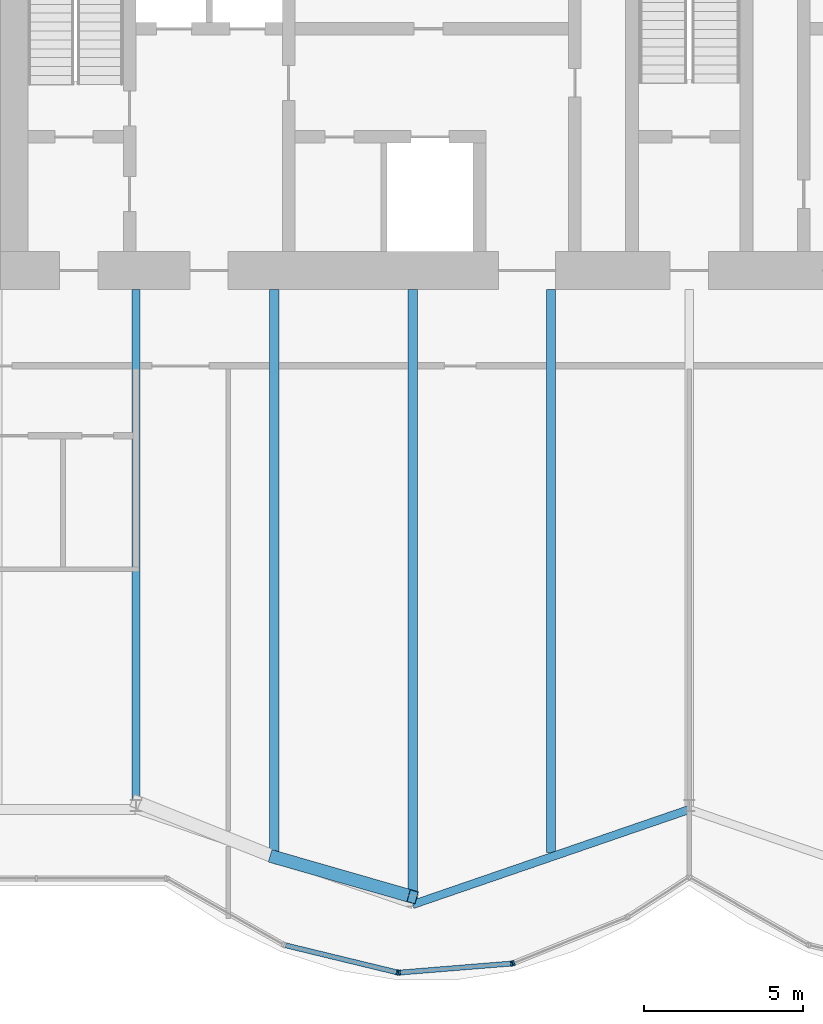
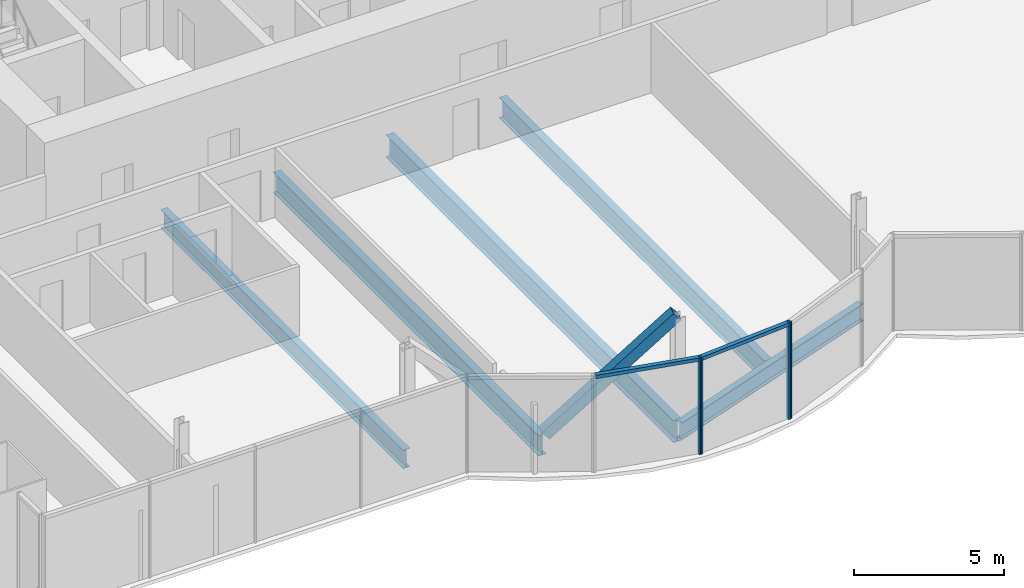
# One storey, part 6 of 20: 7 members, 5 beams, 1 element without a shape of its own.
"""IFC4 building model written with IfcOpenShell, lengths in metres."""

from ifc_helpers import new_model, si_unit, direction, frame, origin, origin_2d, place, context, subcontext, project, spatial, rectangle, hollow_rectangle, i_section, extrude, material, material_profile, profile_set, type_object, element, aggregate, save


model = new_model("IFC4")

# Units and contexts
model_context = context("Model", 3, precision=1e-05, world=origin(), true_north=direction((0.0, 1.0)))
body_context = subcontext(model_context, "Body", "Model", "MODEL_VIEW")
ifc_project = project(units=[si_unit("LENGTHUNIT", "METRE"), si_unit("AREAUNIT", "SQUARE_METRE"), si_unit("VOLUMEUNIT", "CUBIC_METRE"), si_unit("PLANEANGLEUNIT", "RADIAN"), si_unit("MASSUNIT", "GRAM", prefix="KILO")], contexts=[model_context])

# Site, building, storey
site_placement = place(None, origin())
site = spatial("IfcSite", under=ifc_project, at=site_placement, CompositionType="ELEMENT")
building_placement = place(site_placement, origin())
building = spatial("IfcBuilding", under=site, at=building_placement, Name="Bicima Exchange Tower", CompositionType="ELEMENT")
storey_placement = place(building_placement, frame((0.0, 0.0, 215.5)))
storey = spatial("IfcBuildingStorey", under=building, at=storey_placement, Name="L48", CompositionType="ELEMENT", Elevation=215.5)

# Beams
ifc_material_1 = material(Name="Steel ASTM A992 Gr 50", Category="steel")
ifc_material_profile_1 = material_profile(ifc_material_1, i_section(OverallWidth=0.2666015625, OverallDepth=0.75439453125, WebThickness=0.01318359375, FlangeThickness=0.01708984375, at=origin_2d()))
ifc_profile_set_1 = profile_set([ifc_material_profile_1], Name="Steel ASTM A992 Gr 50")
beam_type_1 = type_object("IfcBeamType", Name="Floor beam W30x99", PredefinedType="JOIST", material=ifc_profile_set_1)
beam_1_placement = place(storey_placement, frame((-17.39990234375, -13.0, -0.527099609375), z_axis=(0.0, -1.0, 0.0), x_axis=(1.0, 0.0, 0.0)))
element("IfcBeam", 1, at=beam_1_placement, inside=storey, type_object=beam_type_1, Name="Floor beam", PredefinedType="JOIST", context=body_context, shape_type="SweptSolid", body=[
    extrude(i_section(OverallWidth=0.2666015625, OverallDepth=0.75439453125, WebThickness=0.01318359375, FlangeThickness=0.01708984375, at=origin_2d()), origin(), (0.0, 0.0, 1.0), 16.189453125),
])
ifc_material_profile_2 = material_profile(ifc_material_1, i_section(OverallWidth=0.2919921875, OverallDepth=0.835693359375, WebThickness=0.013916015625, FlangeThickness=0.018798828125, at=origin_2d()))
ifc_profile_set_2 = profile_set([ifc_material_profile_2], Name="Steel ASTM A992 Gr 50")
beam_type_2 = type_object("IfcBeamType", Name="Floor beam W33x118", PredefinedType="JOIST", material=ifc_profile_set_2)
for number, where, z_axis, x_axis, name in (
    (2, (-13.050048828125, -13.0, -0.56787109375), (0.0, -1.0, 0.0), (1.0, 0.0, 0.0), "Floor beam"),
    (3, (-4.35009765625, -13.0, -0.56787109375), (0.0, -1.0, 0.0), (1.0, 0.0, 0.0), "Floor beam"),
):
    element("IfcBeam", number, at=place(storey_placement, frame(where, z_axis=z_axis, x_axis=x_axis)), inside=storey, type_object=beam_type_2, Name=name, PredefinedType="JOIST", context=body_context, shape_type="SweptSolid", body=[
        extrude(i_section(OverallWidth=0.2919921875, OverallDepth=0.835693359375, WebThickness=0.013916015625, FlangeThickness=0.018798828125, at=origin_2d()), origin(), (0.0, 0.0, 1.0), 17.7119140625),
    ])
ifc_material_profile_3 = material_profile(ifc_material_1, i_section(OverallWidth=0.3046875, OverallDepth=0.904296875, WebThickness=0.01513671875, FlangeThickness=0.02001953125, at=origin_2d()))
ifc_profile_set_3 = profile_set([ifc_material_profile_3], Name="Steel ASTM A992 Gr 50")
beam_type_3 = type_object("IfcBeamType", Name="Floor beam W36x135", PredefinedType="JOIST", material=ifc_profile_set_3)
beam_2_placement = place(storey_placement, frame((-8.699951171875, -13.0, -0.60205078125), z_axis=(0.0, -1.0, 0.0), x_axis=(1.0, 0.0, 0.0)))
element("IfcBeam", 4, at=beam_2_placement, inside=storey, type_object=beam_type_3, Name="Floor beam", PredefinedType="JOIST", context=body_context, shape_type="SweptSolid", body=[
    extrude(i_section(OverallWidth=0.3046875, OverallDepth=0.904296875, WebThickness=0.01513671875, FlangeThickness=0.02001953125, at=origin_2d()), origin(), (0.0, 0.0, 1.0), 19.20751953125),
])
ifc_material_profile_4 = material_profile(ifc_material_1, i_section(OverallWidth=0.256591796875, OverallDepth=0.693359375, WebThickness=0.014404296875, FlangeThickness=0.023681640625, at=origin_2d()))
ifc_profile_set_4 = profile_set([ifc_material_profile_4], Name="Steel ASTM A992 Gr 50")
beam_type_4 = type_object("IfcBeamType", Name="Front girder W27x114", PredefinedType="BEAM", material=ifc_profile_set_4)
beam_3_placement = place(storey_placement, frame((-8.699951171875, -32.343017578125, -0.49658203125), z_axis=(0.945674616091, 0.32511462668, 0.0), x_axis=(-0.32511462668, 0.945674616091, 0.0)))
element("IfcBeam", 5, at=beam_3_placement, inside=storey, type_object=beam_type_4, Name="Front girder", PredefinedType="BEAM", context=body_context, shape_type="SweptSolid", body=[
    extrude(i_section(OverallWidth=0.256591796875, OverallDepth=0.693359375, WebThickness=0.014404296875, FlangeThickness=0.023681640625, at=origin_2d()), origin(), (0.0, 0.0, 1.0), 9.19970703125),
])

# Curtain wall, members
ifc_material_2 = material(Name="Anodised bronze aluminium", Category="aluminium")
curtain_wall_type = type_object("IfcCurtainWallType", Name="Front glass wall", PredefinedType="NOTDEFINED", material=ifc_material_2)
curtain_wall_placement = place(storey_placement, origin())
curtain_wall = element("IfcCurtainWall", 6, at=curtain_wall_placement, inside=storey, type_object=curtain_wall_type, Name="Front glass wall L48 run 6", PredefinedType="NOTDEFINED")
ifc_material_profile_5 = material_profile(ifc_material_2, rectangle(XDim=0.159912109375, YDim=0.06005859375, at=origin_2d()))
ifc_profile_set_5 = profile_set([ifc_material_profile_5], Name="Anodised bronze aluminium")
member_type_1 = type_object("IfcMemberType", Name="Front glass wall mullion 60 x 160", PredefinedType="MULLION", material=ifc_profile_set_5)
member_1_placement = place(storey_placement, frame((-9.177490234375, -34.477783203125, 0.0), z_axis=(0.0, 0.0, 1.0), x_axis=(0.235681529503, 0.971830343553, 0.0)))
member_1 = element("IfcMember", 7, at=member_1_placement, type_object=member_type_1, Name="Front glass wall mullion 2", PredefinedType="MULLION", context=body_context, shape_type="SweptSolid", body=[
    extrude(rectangle(XDim=0.159912109375, YDim=0.06005859375, at=origin_2d()), origin(), (0.0, 0.0, 1.0), 3.949951171875),
])
member_2_placement = place(storey_placement, frame((-9.118408203125, -34.482666015625, 0.0), z_axis=(0.0, 0.0, 1.0), x_axis=(-0.080588612633, 0.99674744821, 0.0)))
member_2 = element("IfcMember", 8, at=member_2_placement, type_object=member_type_1, Name="Front glass wall mullion 1", PredefinedType="MULLION", context=body_context, shape_type="SweptSolid", body=[
    extrude(rectangle(XDim=0.159912109375, YDim=0.06005859375, at=origin_2d()), origin(), (0.0, 0.0, 1.0), 3.949951171875),
])
member_3_placement = place(storey_placement, frame((-5.583984375, -34.19677734375, 0.0), z_axis=(0.0, 0.0, 1.0), x_axis=(-0.080588612633, 0.99674744821, 0.0)))
member_3 = element("IfcMember", 9, at=member_3_placement, type_object=member_type_1, Name="Front glass wall mullion 2", PredefinedType="MULLION", context=body_context, shape_type="SweptSolid", body=[
    extrude(rectangle(XDim=0.159912109375, YDim=0.06005859375, at=origin_2d()), origin(), (0.0, 0.0, 1.0), 3.949951171875),
])
member_4_placement = place(storey_placement, frame((-5.526123046875, -34.18310546875, 0.0), z_axis=(0.0, 0.0, 1.0), x_axis=(-0.374705304, 0.92714396679, 0.0)))
member_4 = element("IfcMember", 10, at=member_4_placement, type_object=member_type_1, Name="Front glass wall mullion 1", PredefinedType="MULLION", context=body_context, shape_type="SweptSolid", body=[
    extrude(rectangle(XDim=0.159912109375, YDim=0.06005859375, at=origin_2d()), origin(), (0.0, 0.0, 1.0), 3.949951171875),
])
ifc_material_profile_6 = material_profile(ifc_material_2, rectangle(XDim=0.159912109375, YDim=0.139892578125, at=origin_2d()))
ifc_profile_set_6 = profile_set([ifc_material_profile_6], Name="Anodised bronze aluminium")
member_type_2 = type_object("IfcMemberType", Name="Front glass wall transom 140 x 160", PredefinedType="USERDEFINED", material=ifc_profile_set_6)
member_5_placement = place(storey_placement, frame((-12.68896484375, -33.626220703125, 3.8798828125), z_axis=(0.971817951661, -0.235732621477, 0.0), x_axis=(0.235732621477, 0.971817951661, 0.0)))
member_5 = element("IfcMember", 11, at=member_5_placement, type_object=member_type_2, Name="Front glass wall transom 1.1", ObjectType="TRANSOM", PredefinedType="USERDEFINED", context=body_context, shape_type="SweptSolid", body=[
    extrude(rectangle(XDim=0.159912109375, YDim=0.139892578125, at=origin_2d()), origin(), (0.0, 0.0, 1.0), 3.58349609375),
])
member_6_placement = place(storey_placement, frame((-9.08837890625, -34.480224609375, 3.8798828125), z_axis=(0.9967456465, 0.080610893699, 0.0), x_axis=(-0.080610893699, 0.9967456465, 0.0)))
member_6 = element("IfcMember", 12, at=member_6_placement, type_object=member_type_2, Name="Front glass wall transom 1.1", ObjectType="TRANSOM", PredefinedType="USERDEFINED", context=body_context, shape_type="SweptSolid", body=[
    extrude(rectangle(XDim=0.159912109375, YDim=0.139892578125, at=origin_2d()), origin(), (0.0, 0.0, 1.0), 3.48583984375),
])
aggregate(curtain_wall, [member_1, member_5, member_2, member_3, member_6, member_4])

# Member
ifc_material_3 = material(Name="Steel ASTM A572 Gr 50", Category="steel")
ifc_material_profile_7 = material_profile(ifc_material_3, hollow_rectangle(XDim=0.406494140625, YDim=0.406494140625, WallThickness=0.0146484375, at=origin_2d()))
ifc_profile_set_7 = profile_set([ifc_material_profile_7], Name="Steel ASTM A572 Gr 50")
member_type_3 = type_object("IfcMemberType", Name="Mega brace HSS16x16x5/8", PredefinedType="BRACE", material=ifc_profile_set_7)
member_7_placement = place(storey_placement, frame((-13.050048828125, -30.847412109375, 0.0), z_axis=(0.712261059137, -0.204947943102, 0.671327434457), x_axis=(0.276522876258, 0.961007335511, 0.0)))
element("IfcMember", 13, at=member_7_placement, inside=storey, type_object=member_type_3, Name="Mega brace front", PredefinedType="BRACE", context=body_context, shape_type="SweptSolid", body=[
    extrude(hollow_rectangle(XDim=0.406494140625, YDim=0.406494140625, WallThickness=0.0146484375, at=origin_2d()), origin(), (0.0, 0.0, 1.0), 6.107421875),
])

save(model, "model.ifc")
